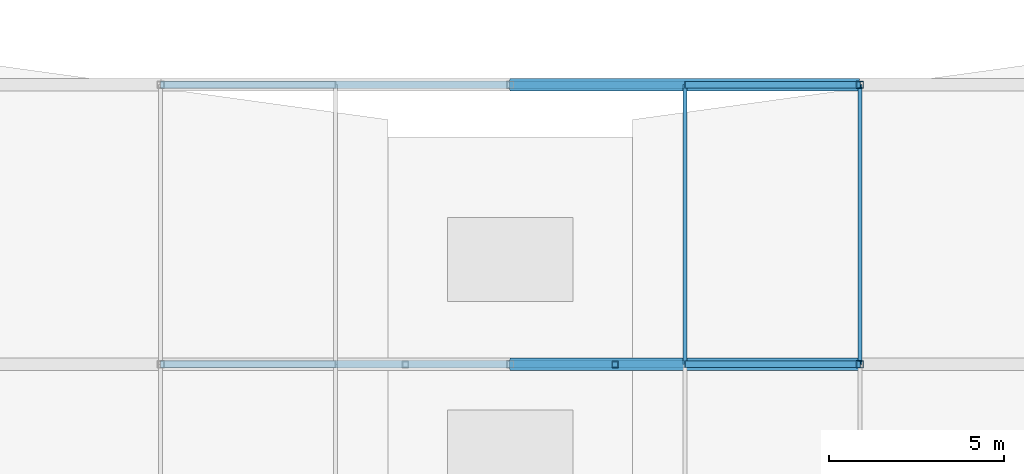
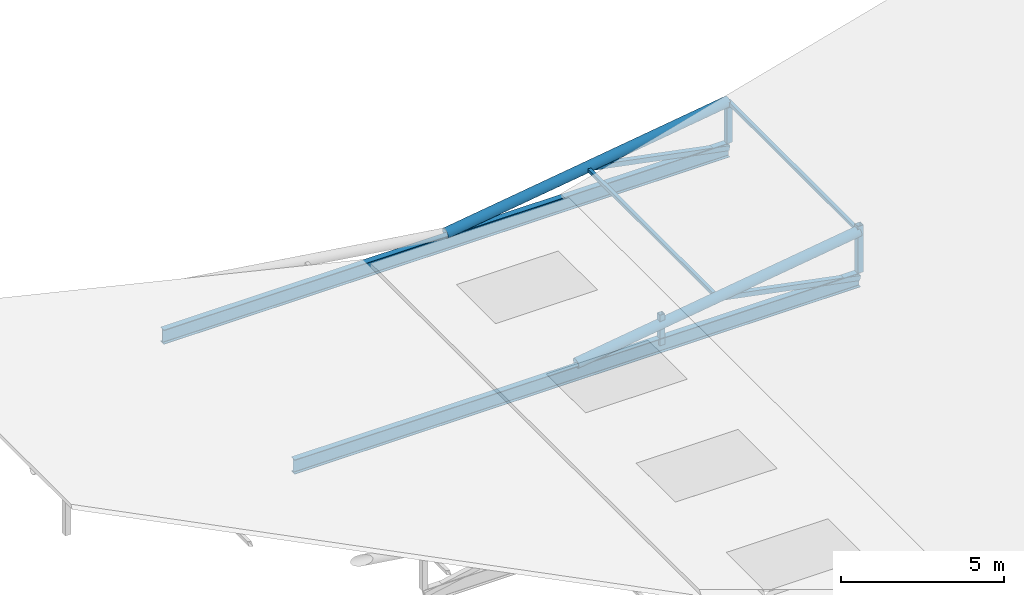
# One storey, part 21 of 84: 7 members, 4 beams.
"""IFC4 building model written with IfcOpenShell, lengths in metres."""

from ifc_helpers import new_model, si_unit, direction, frame, origin, origin_2d, place, context, subcontext, project, spatial, hollow_rectangle, hollow_circle, i_section, extrude, material, material_profile, profile_set, type_object, element, save


model = new_model("IFC4")

# Units and contexts
model_context = context("Model", 3, precision=1e-05, world=origin(), true_north=direction((0.0, 1.0)))
body_context = subcontext(model_context, "Body", "Model", "MODEL_VIEW")
ifc_project = project(units=[si_unit("LENGTHUNIT", "METRE"), si_unit("AREAUNIT", "SQUARE_METRE"), si_unit("VOLUMEUNIT", "CUBIC_METRE"), si_unit("PLANEANGLEUNIT", "RADIAN"), si_unit("MASSUNIT", "GRAM", prefix="KILO")], contexts=[model_context])

# Site, building, storey
site_placement = place(None, origin())
site = spatial("IfcSite", under=ifc_project, at=site_placement, CompositionType="ELEMENT")
building_placement = place(site_placement, origin())
building = spatial("IfcBuilding", under=site, at=building_placement, Name="Tenunan Teduh Sports Hall", CompositionType="ELEMENT")
storey_placement = place(building_placement, frame((0.0, 0.0, 10.800048828125)))
storey = spatial("IfcBuildingStorey", under=building, at=storey_placement, Name="L02", CompositionType="ELEMENT", Elevation=10.800048828125)

# Beams
ifc_material_1 = material(Name="Steel S355", Category="steel")
ifc_material_profile_1 = material_profile(ifc_material_1, hollow_circle(Radius=0.177734375, WallThickness=0.012451171875, at=origin_2d()), Name="CHS 355.6x12.5")
ifc_profile_set_1 = profile_set([ifc_material_profile_1], Name="Steel S355")
beam_type_1 = type_object("IfcBeamType", Name="GSB-CHS356", PredefinedType="BEAM", material=ifc_profile_set_1)
for number, where, z_axis, x_axis, name in (
    (1, (88.0, 62.0, -0.0400390625), (0.98972987631, 0.0, 0.142950242877), (0.0, 1.0, 0.0), "Gridshell Vault Arch BM-GR-04-L02-0511"),
    (2, (88.0, 70.0, -0.0400390625), (0.98972987631, 0.0, 0.142950242877), (0.0, 1.0, 0.0), "Gridshell Vault Arch BM-GR-04-L02-0516"),
):
    element("IfcBeam", number, at=place(storey_placement, frame(where, z_axis=z_axis, x_axis=x_axis)), inside=storey, type_object=beam_type_1, Name=name, PredefinedType="BEAM", context=body_context, shape_type="SweptSolid", body=[
        extrude(hollow_circle(Radius=0.177734375, WallThickness=0.012451171875, at=origin_2d()), origin(), (0.0, 0.0, 1.0), 10.103759765625),
    ])

# Members
ifc_material_2 = material(Name="Steel S355", Category="steel")
ifc_material_profile_2 = material_profile(ifc_material_2, hollow_rectangle(XDim=0.1201171875, YDim=0.1201171875, WallThickness=0.00634765625, at=origin_2d()), Name="SHS 120x120x6.3")
ifc_profile_set_2 = profile_set([ifc_material_profile_2], Name="Steel S355")
member_type_1 = type_object("IfcMemberType", Name="MEM-PR-SHS120", PredefinedType="PURLIN", material=ifc_profile_set_2)
for number, where, z_axis, x_axis, name in (
    (3, (93.0, 62.0, 0.68212890625), (0.0, 1.0, 0.0), (-1.0, 0.0, 0.0), "MEM-PR-02-L02-0921"),
    (4, (98.0, 62.0, 1.404296875), (0.0, 1.0, 0.0), (-1.0, 0.0, 0.0), "MEM-PR-02-L02-0925"),
):
    element("IfcMember", number, at=place(storey_placement, frame(where, z_axis=z_axis, x_axis=x_axis)), inside=storey, type_object=member_type_1, Name=name, PredefinedType="PURLIN", context=body_context, shape_type="SweptSolid", body=[
        extrude(hollow_rectangle(XDim=0.1201171875, YDim=0.1201171875, WallThickness=0.00634765625, at=origin_2d()), origin(), (0.0, 0.0, 1.0), 8.0),
    ])
ifc_material_3 = material(Name="Steel S355", Category="steel")
ifc_material_profile_3 = material_profile(ifc_material_3, hollow_rectangle(XDim=0.179931640625, YDim=0.179931640625, WallThickness=0.010009765625, at=origin_2d()), Name="SHS 180x180x10.0")
ifc_profile_set_3 = profile_set([ifc_material_profile_3], Name="Steel S355")
member_type_2 = type_object("IfcMemberType", Name="MEM-ST-SHS180", PredefinedType="STRUT", material=ifc_profile_set_3)
member_1_placement = place(storey_placement, frame((91.0, 62.0, -0.360107421875), z_axis=(0.0, 0.0, 1.0), x_axis=(1.0, 0.0, 0.0)))
element("IfcMember", 5, at=member_1_placement, inside=storey, type_object=member_type_2, Name="MEM-VS-03-L02-0891", PredefinedType="STRUT", context=body_context, shape_type="SweptSolid", body=[
    extrude(hollow_rectangle(XDim=0.179931640625, YDim=0.179931640625, WallThickness=0.010009765625, at=origin_2d()), origin(), (0.0, 0.0, 1.0), 1.14013671875),
])
for number, where, z_axis, x_axis, name in (
    (6, (98.0, 62.0, -0.300048828125), (-0.981247525965, 0.0, 0.192751894383), (0.0, -1.0, 0.0), "MEM-VS-03-L02-0896"),
    (7, (98.0, 70.0, -0.300048828125), (-0.981247525965, 0.0, 0.192751894383), (0.0, -1.0, 0.0), "MEM-VS-03-L02-0905"),
):
    element("IfcMember", number, at=place(storey_placement, frame(where, z_axis=z_axis, x_axis=x_axis)), inside=storey, type_object=member_type_2, Name=name, PredefinedType="STRUT", context=body_context, shape_type="SweptSolid", body=[
        extrude(hollow_rectangle(XDim=0.179931640625, YDim=0.179931640625, WallThickness=0.010009765625, at=origin_2d()), origin(), (0.0, 0.0, 1.0), 5.095458984375),
    ])
ifc_material_4 = material(Name="Steel S355", Category="steel")
ifc_material_profile_4 = material_profile(ifc_material_4, hollow_rectangle(XDim=0.199951171875, YDim=0.199951171875, WallThickness=0.010009765625, at=origin_2d()), Name="SHS 200x200x10.0")
ifc_profile_set_4 = profile_set([ifc_material_profile_4], Name="Steel S355")
member_type_3 = type_object("IfcMemberType", Name="MEM-ST-SHS200", PredefinedType="STRUT", material=ifc_profile_set_4)
member_2_placement = place(storey_placement, frame((98.0, 62.0, -0.10009765625), z_axis=(0.0, 0.0, 1.0), x_axis=(1.0, 0.0, 0.0)))
element("IfcMember", 8, at=member_2_placement, inside=storey, type_object=member_type_3, Name="MEM-VS-02-L02-0888", PredefinedType="STRUT", context=body_context, shape_type="SweptSolid", body=[
    extrude(hollow_rectangle(XDim=0.199951171875, YDim=0.199951171875, WallThickness=0.010009765625, at=origin_2d()), origin(), (0.0, 0.0, 1.0), 1.75439453125),
])
member_3_placement = place(storey_placement, frame((98.0, 70.0, -0.10009765625), z_axis=(0.0, 0.0, 1.0), x_axis=(1.0, 0.0, 0.0)))
element("IfcMember", 9, at=member_3_placement, inside=storey, type_object=member_type_3, Name="MEM-VS-02-L02-0899", PredefinedType="STRUT", context=body_context, shape_type="SweptSolid", body=[
    extrude(hollow_rectangle(XDim=0.199951171875, YDim=0.199951171875, WallThickness=0.010009765625, at=origin_2d()), origin(), (0.0, 0.0, 1.0), 1.32666015625),
])

# Beams
ifc_material_5 = material(Name="Steel S355", Category="steel")
ifc_material_profile_5 = material_profile(ifc_material_5, i_section(OverallWidth=0.2099609375, OverallDepth=0.53662109375, WebThickness=0.0107421875, FlangeThickness=0.017333984375, FilletRadius=0.0126953125, at=origin_2d()), Name="UKB 533x210x101")
ifc_profile_set_5 = profile_set([ifc_material_profile_5], Name="Steel S355")
beam_type_2 = type_object("IfcBeamType", Name="SBM-UKB533", PredefinedType="BEAM", material=ifc_profile_set_5)
for number, where, z_axis, x_axis, name in (
    (10, (78.0, 62.0, -0.360107421875), (1.0, 0.0, 0.0), (0.0, 1.0, 0.0), "BM-SB-05-L02-0508"),
    (11, (78.0, 70.0, -0.360107421875), (1.0, 0.0, 0.0), (0.0, 1.0, 0.0), "BM-SB-05-L02-0513"),
):
    element("IfcBeam", number, at=place(storey_placement, frame(where, z_axis=z_axis, x_axis=x_axis)), inside=storey, type_object=beam_type_2, Name=name, PredefinedType="BEAM", context=body_context, shape_type="SweptSolid", body=[
        extrude(i_section(OverallWidth=0.2099609375, OverallDepth=0.53662109375, WebThickness=0.0107421875, FlangeThickness=0.017333984375, FilletRadius=0.0126953125, at=origin_2d()), origin(), (0.0, 0.0, 1.0), 20.0),
    ])

save(model, "model.ifc")
